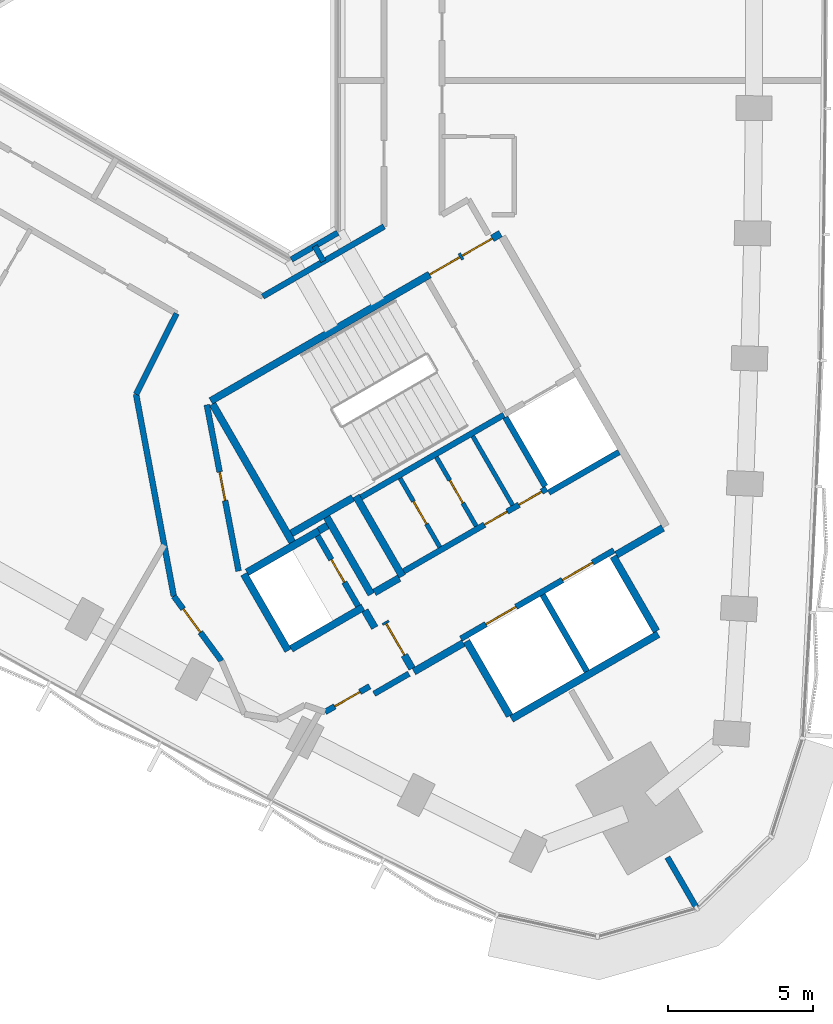
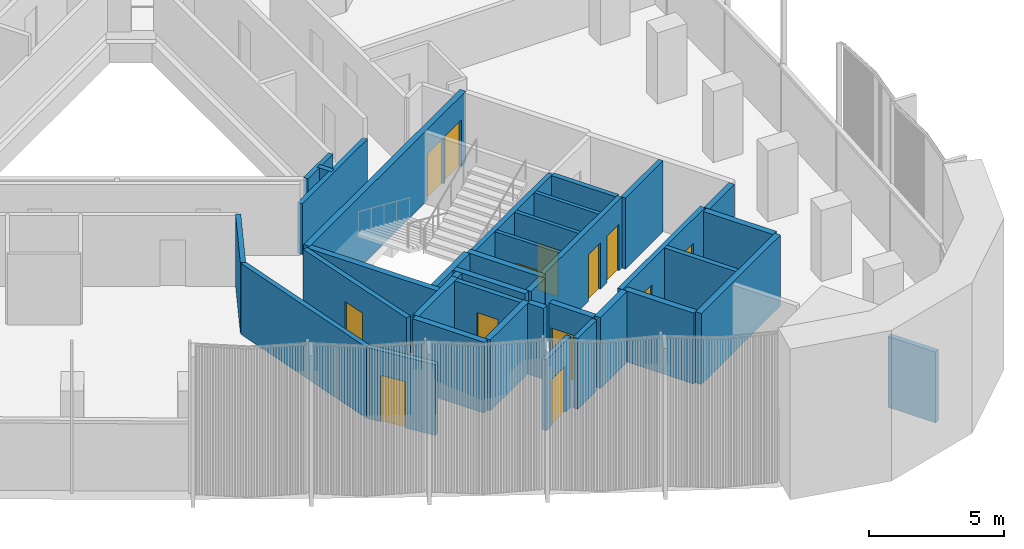
# One storey, part 8 of 14: 37 walls, 13 doors, 13 openings.
"""IFC4 building model written with IfcOpenShell, lengths in metres."""

from ifc_helpers import new_model, si_unit, direction, frame, frame_2d, origin, place, context, subcontext, project, spatial, rectangle, extrude, material, layer, layer_set, type_object, element, fill, save


model = new_model("IFC4")

# Units and contexts
model_context = context("Model", 3, precision=1e-05, world=origin(), true_north=direction((0.0, 1.0)))
body_context = subcontext(model_context, "Body", "Model", "MODEL_VIEW")
ifc_project = project(units=[si_unit("LENGTHUNIT", "METRE"), si_unit("AREAUNIT", "SQUARE_METRE"), si_unit("VOLUMEUNIT", "CUBIC_METRE"), si_unit("PLANEANGLEUNIT", "RADIAN"), si_unit("MASSUNIT", "GRAM", prefix="KILO")], contexts=[model_context])

# Site, building, storey
site_placement = place(None, origin())
site = spatial("IfcSite", under=ifc_project, at=site_placement, CompositionType="ELEMENT")
building_placement = place(site_placement, origin())
building = spatial("IfcBuilding", under=site, at=building_placement, Name="Tamra Quay Hotel Tower", CompositionType="ELEMENT")
storey_placement = place(building_placement, frame((0.0, 0.0, 150.39990234375)))
storey = spatial("IfcBuildingStorey", under=building, at=storey_placement, Name="L37", CompositionType="ELEMENT", Elevation=150.39990234375)

# Wall, openings, doors
ifc_material_1 = material(Name="Concrete M70", Category="concrete")
ifc_layer_1 = layer(ifc_material_1, 0.199951171875)
ifc_layer_set_1 = layer_set([ifc_layer_1], Name="Concrete M70 core wall 200")
wall_type_1 = type_object("IfcWallType", Name="Concrete M70 core wall 200", PredefinedType="SHEAR", material=ifc_layer_set_1)
wall_1_placement = place(storey_placement, frame((9.052490234375, -20.479736328125, 0.0), z_axis=(0.0, 0.0, 1.0), x_axis=(0.866030299012, 0.499991521122, 0.0)))
wall_1 = element("IfcWall", 1, at=wall_1_placement, inside=storey, type_object=wall_type_1, Name="CW2", PredefinedType="SHEAR", context=body_context, shape_type="SweptSolid", body=[
    extrude(rectangle(XDim=6.10009765625, YDim=0.199951171875, at=frame_2d((3.050048828125, 0.0))), origin(), (0.0, 0.0, 1.0), 3.2001953125),
])
opening_1_placement = place(wall_1_placement, frame((1.0, 0.0, 0.0)))
opening_1 = element("IfcOpeningElement", 2, at=opening_1_placement, cuts=wall_1, Name="Opening LD", PredefinedType="OPENING", context=body_context, shape_type="SweptSolid", body=[
    extrude(rectangle(XDim=1.199951171875, YDim=2.10009765625, at=frame_2d((0.60009765625, 1.050048828125))), frame((0.0, 0.10986328125, 0.0), z_axis=(0.0, -1.0, 0.0), x_axis=(1.0, 0.0, 0.0)), (0.0, 0.0, 1.0), 0.219970703125),
])
opening_2_placement = place(wall_1_placement, frame((4.05029296875, 0.0, 0.0)))
opening_2 = element("IfcOpeningElement", 3, at=opening_2_placement, cuts=wall_1, Name="Opening LD", PredefinedType="OPENING", context=body_context, shape_type="SweptSolid", body=[
    extrude(rectangle(XDim=1.199951171875, YDim=2.10009765625, at=frame_2d((0.60009765625, 1.050048828125))), frame((0.0, 0.10986328125, 0.0), z_axis=(0.0, -1.0, 0.0), x_axis=(1.0, 0.0, 0.0)), (0.0, 0.0, 1.0), 0.219970703125),
])
ifc_material_2 = material(Name="Landing door LD 1200 double door sliding")
door_type_1 = type_object("IfcDoorType", Name="Landing door LD 1200 double door sliding", OperationType="DOUBLE_DOOR_SLIDING", PredefinedType="DOOR", material=ifc_material_2)
door_1_placement = place(opening_1_placement, origin())
door_1 = element("IfcDoor", 4, at=door_1_placement, inside=storey, type_object=door_type_1, Name="LD", OperationType="DOUBLE_DOOR_SLIDING", OverallHeight=2.10009765625, OverallWidth=1.199951171875, PredefinedType="DOOR", context=body_context, shape_type="SweptSolid", body=[
    extrude(rectangle(XDim=1.199951171875, YDim=2.10009765625, at=frame_2d((0.60009765625, 1.050048828125))), frame((0.0, 0.02490234375, 0.0), z_axis=(0.0, -1.0, 0.0), x_axis=(1.0, 0.0, 0.0)), (0.0, 0.0, 1.0), 0.050048828125),
])
fill(opening_1, door_1)
door_2_placement = place(opening_2_placement, origin())
door_2 = element("IfcDoor", 5, at=door_2_placement, inside=storey, type_object=door_type_1, Name="LD", OperationType="DOUBLE_DOOR_SLIDING", OverallHeight=2.10009765625, OverallWidth=1.199951171875, PredefinedType="DOOR", context=body_context, shape_type="SweptSolid", body=[
    extrude(rectangle(XDim=1.199951171875, YDim=2.10009765625, at=frame_2d((0.60009765625, 1.050048828125))), frame((0.0, 0.02490234375, 0.0), z_axis=(0.0, -1.0, 0.0), x_axis=(1.0, 0.0, 0.0)), (0.0, 0.0, 1.0), 0.050048828125),
])
fill(opening_2, door_2)

# Wall
wall_2_placement = place(storey_placement, frame((10.537841796875, -12.751953125, 0.0), z_axis=(0.0, 0.0, 1.0), x_axis=(-0.866038630372, -0.499977090179, 0.0)))
element("IfcWall", 6, at=wall_2_placement, inside=storey, type_object=wall_type_1, Name="CW2", PredefinedType="SHEAR", context=body_context, shape_type="SweptSolid", body=[
    extrude(rectangle(XDim=5.698974609375, YDim=0.199951171875, at=frame_2d((2.849609375, 0.0))), origin(), (0.0, 0.0, 1.0), 3.2001953125),
])

# Wall, openings, doors
wall_3_placement = place(storey_placement, frame((7.0771484375, -18.156005859375, 0.0), z_axis=(0.0, 0.0, 1.0), x_axis=(0.866038630372, 0.499977090179, 0.0)))
wall_3 = element("IfcWall", 7, at=wall_3_placement, inside=storey, type_object=wall_type_1, Name="CW2", PredefinedType="SHEAR", context=body_context, shape_type="SweptSolid", body=[
    extrude(rectangle(XDim=5.698974609375, YDim=0.199951171875, at=frame_2d((2.849609375, 0.0))), origin(), (0.0, 0.0, 1.0), 3.2001953125),
])
opening_3_placement = place(wall_3_placement, frame((3.22412109375, 0.0, 0.0)))
opening_3 = element("IfcOpeningElement", 8, at=opening_3_placement, cuts=wall_3, Name="Opening D2", PredefinedType="OPENING", context=body_context, shape_type="SweptSolid", body=[
    extrude(rectangle(XDim=0.89990234375, YDim=2.10009765625, at=frame_2d((0.449951171875, 1.050048828125))), frame((0.0, 0.10986328125, 0.0), z_axis=(0.0, -1.0, 0.0), x_axis=(1.0, 0.0, 0.0)), (0.0, 0.0, 1.0), 0.219970703125),
])
opening_4_placement = place(wall_3_placement, frame((4.59912109375, 0.0, 0.0)))
opening_4 = element("IfcOpeningElement", 9, at=opening_4_placement, cuts=wall_3, Name="Opening D2", PredefinedType="OPENING", context=body_context, shape_type="SweptSolid", body=[
    extrude(rectangle(XDim=0.89990234375, YDim=2.10009765625, at=frame_2d((0.449951171875, 1.050048828125))), frame((0.0, 0.10986328125, 0.0), z_axis=(0.0, -1.0, 0.0), x_axis=(1.0, 0.0, 0.0)), (0.0, 0.0, 1.0), 0.219970703125),
])
ifc_material_3 = material(Name="Core door D2 900x2100 LH")
door_type_2 = type_object("IfcDoorType", Name="Core door D2 900x2100 LH", OperationType="NOTDEFINED", PredefinedType="DOOR", material=ifc_material_3)
door_3_placement = place(opening_3_placement, origin())
door_3 = element("IfcDoor", 10, at=door_3_placement, inside=storey, type_object=door_type_2, Name="D2", OperationType="SINGLE_SWING_LEFT", OverallHeight=2.10009765625, OverallWidth=0.89990234375, PredefinedType="DOOR", context=body_context, shape_type="SweptSolid", body=[
    extrude(rectangle(XDim=0.89990234375, YDim=2.10009765625, at=frame_2d((0.449951171875, 1.050048828125))), frame((0.0, 0.02490234375, 0.0), z_axis=(0.0, -1.0, 0.0), x_axis=(1.0, 0.0, 0.0)), (0.0, 0.0, 1.0), 0.050048828125),
])
fill(opening_3, door_3)
ifc_material_4 = material(Name="Core door D2 900x2100 RH")
door_type_3 = type_object("IfcDoorType", Name="Core door D2 900x2100 RH", OperationType="NOTDEFINED", PredefinedType="DOOR", material=ifc_material_4)
door_4_placement = place(opening_4_placement, origin())
door_4 = element("IfcDoor", 11, at=door_4_placement, inside=storey, type_object=door_type_3, Name="D2", OperationType="SINGLE_SWING_RIGHT", OverallHeight=2.10009765625, OverallWidth=0.89990234375, PredefinedType="DOOR", context=body_context, shape_type="SweptSolid", body=[
    extrude(rectangle(XDim=0.89990234375, YDim=2.10009765625, at=frame_2d((0.449951171875, 1.050048828125))), frame((0.0, 0.02490234375, 0.0), z_axis=(0.0, -1.0, 0.0), x_axis=(1.0, 0.0, 0.0)), (0.0, 0.0, 1.0), 0.050048828125),
])
fill(opening_4, door_4)

# Wall
wall_4_placement = place(storey_placement, frame((11.87451171875, -18.967041015625, 0.0), z_axis=(0.0, 0.0, 1.0), x_axis=(0.49998131003, -0.866036194175, 0.0)))
element("IfcWall", 12, at=wall_4_placement, inside=storey, type_object=wall_type_1, Name="CW2", PredefinedType="SHEAR", context=body_context, shape_type="SweptSolid", body=[
    extrude(rectangle(XDim=3.0478515625, YDim=0.199951171875, at=frame_2d((1.52392578125, 0.0))), origin(), (0.0, 0.0, 1.0), 3.2001953125),
])

# Wall, opening, door
wall_5_placement = place(storey_placement, frame((5.50341796875, -19.352294921875, 0.0), z_axis=(0.0, 0.0, 1.0), x_axis=(-0.499986818241, 0.866033014143, 0.0)))
wall_5 = element("IfcWall", 13, at=wall_5_placement, inside=storey, type_object=wall_type_1, Name="CW2", PredefinedType="SHEAR", context=body_context, shape_type="SweptSolid", body=[
    extrude(rectangle(XDim=2.7978515625, YDim=0.199951171875, at=frame_2d((1.39892578125, 0.0))), origin(), (0.0, 0.0, 1.0), 3.2001953125),
])
opening_5_placement = place(wall_5_placement, frame((0.948974609375, 0.0, 0.0)))
opening_5 = element("IfcOpeningElement", 14, at=opening_5_placement, cuts=wall_5, Name="Opening D1", PredefinedType="OPENING", context=body_context, shape_type="SweptSolid", body=[
    extrude(rectangle(XDim=0.89990234375, YDim=2.10009765625, at=frame_2d((0.449951171875, 1.050048828125))), frame((0.0, 0.10986328125, 0.0), z_axis=(0.0, -1.0, 0.0), x_axis=(1.0, 0.0, 0.0)), (0.0, 0.0, 1.0), 0.219970703125),
])
ifc_material_5 = material(Name="Core door D1 900x2100 LH")
door_type_4 = type_object("IfcDoorType", Name="Core door D1 900x2100 LH", OperationType="NOTDEFINED", PredefinedType="DOOR", material=ifc_material_5)
door_5_placement = place(opening_5_placement, origin())
door_5 = element("IfcDoor", 15, at=door_5_placement, inside=storey, type_object=door_type_4, Name="D1", OperationType="SINGLE_SWING_LEFT", OverallHeight=2.10009765625, OverallWidth=0.89990234375, PredefinedType="DOOR", context=body_context, shape_type="SweptSolid", body=[
    extrude(rectangle(XDim=0.89990234375, YDim=2.10009765625, at=frame_2d((0.449951171875, 1.050048828125))), frame((0.0, 0.02490234375, 0.0), z_axis=(0.0, -1.0, 0.0), x_axis=(1.0, 0.0, 0.0)), (0.0, 0.0, 1.0), 0.050048828125),
])
fill(opening_5, door_5)

# Walls
wall_6_placement = place(storey_placement, frame((11.962646484375, -15.219970703125, 0.0), z_axis=(0.0, 0.0, 1.0), x_axis=(-0.500034990121, 0.866005201286, 0.0)))
element("IfcWall", 16, at=wall_6_placement, inside=storey, type_object=wall_type_1, Name="CW2", PredefinedType="SHEAR", context=body_context, shape_type="SweptSolid", body=[
    extrude(rectangle(XDim=2.749755859375, YDim=0.199951171875, at=frame_2d((1.375, 0.0))), origin(), (0.0, 0.0, 1.0), 3.2001953125),
])
wall_7_placement = place(storey_placement, frame((14.51171875, -14.037109375, 0.0), z_axis=(0.0, 0.0, 1.0), x_axis=(-0.866044696403, -0.499966582715, 0.0)))
element("IfcWall", 17, at=wall_7_placement, inside=storey, type_object=wall_type_1, Name="CW2", PredefinedType="SHEAR", context=body_context, shape_type="SweptSolid", body=[
    extrude(rectangle(XDim=2.799072265625, YDim=0.199951171875, at=frame_2d((1.3994140625, 0.0))), origin(), (0.0, 0.0, 1.0), 3.2001953125),
])

# Wall, openings, doors
ifc_layer_2 = layer(ifc_material_1, 0.25)
ifc_layer_set_2 = layer_set([ifc_layer_2], Name="Concrete M70 core wall 250")
wall_type_2 = type_object("IfcWallType", Name="Concrete M70 core wall 250", PredefinedType="SHEAR", material=ifc_layer_set_2)
wall_8_placement = place(storey_placement, frame((0.417236328125, -12.27294921875, 0.0), z_axis=(0.0, 0.0, 1.0), x_axis=(0.866021906294, 0.500006057782, 0.0)))
wall_8 = element("IfcWall", 18, at=wall_8_placement, inside=storey, type_object=wall_type_2, Name="CW1", PredefinedType="SHEAR", context=body_context, shape_type="SweptSolid", body=[
    extrude(rectangle(XDim=11.550048828125, YDim=0.25, at=frame_2d((5.77490234375, 0.0))), origin(), (0.0, 0.0, 1.0), 3.2001953125),
])
opening_6_placement = place(wall_8_placement, frame((10.024658203125, 0.0, 0.0)))
opening_6 = element("IfcOpeningElement", 19, at=opening_6_placement, cuts=wall_8, Name="Opening FD1", PredefinedType="OPENING", context=body_context, shape_type="SweptSolid", body=[
    extrude(rectangle(XDim=1.199951171875, YDim=2.10009765625, at=frame_2d((0.60009765625, 1.050048828125))), frame((0.0, 0.135009765625, 0.0), z_axis=(0.0, -1.0, 0.0), x_axis=(1.0, 0.0, 0.0)), (0.0, 0.0, 1.0), 0.27001953125),
])
opening_7_placement = place(wall_8_placement, frame((8.724609375, 0.0, 0.0)))
opening_7 = element("IfcOpeningElement", 20, at=opening_7_placement, cuts=wall_8, Name="Opening FD1", PredefinedType="OPENING", context=body_context, shape_type="SweptSolid", body=[
    extrude(rectangle(XDim=1.199951171875, YDim=2.10009765625, at=frame_2d((0.60009765625, 1.050048828125))), frame((0.0, 0.135009765625, 0.0), z_axis=(0.0, -1.0, 0.0), x_axis=(1.0, 0.0, 0.0)), (0.0, 0.0, 1.0), 0.27001953125),
])
ifc_material_6 = material(Name="Core door FD1 1200x2100 LH")
door_type_5 = type_object("IfcDoorType", Name="Core door FD1 1200x2100 LH", OperationType="NOTDEFINED", PredefinedType="DOOR", material=ifc_material_6)
door_6_placement = place(opening_6_placement, origin())
door_6 = element("IfcDoor", 21, at=door_6_placement, inside=storey, type_object=door_type_5, Name="FD1", OperationType="SINGLE_SWING_LEFT", OverallHeight=2.10009765625, OverallWidth=1.199951171875, PredefinedType="DOOR", context=body_context, shape_type="SweptSolid", body=[
    extrude(rectangle(XDim=1.199951171875, YDim=2.10009765625, at=frame_2d((0.60009765625, 1.050048828125))), frame((0.0, 0.02490234375, 0.0), z_axis=(0.0, -1.0, 0.0), x_axis=(1.0, 0.0, 0.0)), (0.0, 0.0, 1.0), 0.050048828125),
])
fill(opening_6, door_6)
ifc_material_7 = material(Name="Core door FD1 1200x2100 RH")
door_type_6 = type_object("IfcDoorType", Name="Core door FD1 1200x2100 RH", OperationType="NOTDEFINED", PredefinedType="DOOR", material=ifc_material_7)
door_7_placement = place(opening_7_placement, origin())
door_7 = element("IfcDoor", 22, at=door_7_placement, inside=storey, type_object=door_type_6, Name="FD1", OperationType="SINGLE_SWING_RIGHT", OverallHeight=2.10009765625, OverallWidth=1.199951171875, PredefinedType="DOOR", context=body_context, shape_type="SweptSolid", body=[
    extrude(rectangle(XDim=1.199951171875, YDim=2.10009765625, at=frame_2d((0.60009765625, 1.050048828125))), frame((0.0, 0.02490234375, 0.0), z_axis=(0.0, -1.0, 0.0), x_axis=(1.0, 0.0, 0.0)), (0.0, 0.0, 1.0), 0.050048828125),
])
fill(opening_7, door_7)

# Walls
wall_9_placement = place(storey_placement, frame((15.86474609375, -20.328369140625, 0.0), z_axis=(0.0, 0.0, 1.0), x_axis=(-0.86602852612, -0.499994591916, 0.0)))
element("IfcWall", 23, at=wall_9_placement, inside=storey, type_object=wall_type_2, Name="CW1", PredefinedType="SHEAR", context=body_context, shape_type="SweptSolid", body=[
    extrude(rectangle(XDim=5.85009765625, YDim=0.25, at=frame_2d((2.925048828125, 0.0))), origin(), (0.0, 0.0, 1.0), 3.2001953125),
])
wall_10_placement = place(storey_placement, frame((3.23486328125, -17.15283203125, 0.0), z_axis=(0.0, 0.0, 1.0), x_axis=(-0.500008851346, 0.866020293397, 0.0)))
element("IfcWall", 24, at=wall_10_placement, inside=storey, type_object=wall_type_2, Name="CW1", PredefinedType="SHEAR", context=body_context, shape_type="SweptSolid", body=[
    extrude(rectangle(XDim=5.509765625, YDim=0.25, at=frame_2d((2.7548828125, 0.0))), origin(), (0.0, 0.0, 1.0), 3.2001953125),
])
wall_11_placement = place(storey_placement, frame((7.030517578125, -18.327392578125, 0.0), z_axis=(0.0, 0.0, 1.0), x_axis=(-0.499971222258, 0.866042017984, 0.0)))
element("IfcWall", 25, at=wall_11_placement, inside=storey, type_object=wall_type_2, Name="CW1", PredefinedType="SHEAR", context=body_context, shape_type="SweptSolid", body=[
    extrude(rectangle(XDim=3.199951171875, YDim=0.25, at=frame_2d((1.60009765625, 0.0))), origin(), (0.0, 0.0, 1.0), 3.2001953125),
])
for number, where, z_axis, x_axis, name in (
    (26, (14.314697265625, -17.643798828125, 0.0), (0.0, 0.0, 1.0), (0.500023226632, -0.866011993467, 0.0), "CW1"),
    (27, (10.73583984375, -23.144775390625, 0.0), (0.0, 0.0, 1.0), (-0.500023226632, 0.866011993467, 0.0), "CW1"),
):
    element("IfcWall", number, at=place(storey_placement, frame(where, z_axis=z_axis, x_axis=x_axis)), inside=storey, type_object=wall_type_2, Name=name, PredefinedType="SHEAR", context=body_context, shape_type="SweptSolid", body=[
        extrude(rectangle(XDim=2.974365234375, YDim=0.25, at=frame_2d((1.4873046875, 0.0))), origin(), (0.0, 0.0, 1.0), 3.2001953125),
    ])
wall_12_placement = place(storey_placement, frame((3.085205078125, -20.893798828125, 0.0), z_axis=(0.0, 0.0, 1.0), x_axis=(-0.499978833458, 0.866037623948, 0.0)))
element("IfcWall", 28, at=wall_12_placement, inside=storey, type_object=wall_type_2, Name="CW1", PredefinedType="SHEAR", context=body_context, shape_type="SweptSolid", body=[
    extrude(rectangle(XDim=3.050048828125, YDim=0.25, at=frame_2d((1.52490234375, 0.0))), origin(), (0.0, 0.0, 1.0), 3.2001953125),
])
wall_13_placement = place(storey_placement, frame((1.6689453125, -18.189697265625, 0.0), z_axis=(0.0, 0.0, 1.0), x_axis=(0.866042235819, 0.499970844928, 0.0)))
element("IfcWall", 29, at=wall_13_placement, inside=storey, type_object=wall_type_2, Name="CW1", PredefinedType="SHEAR", context=body_context, shape_type="SweptSolid", body=[
    extrude(rectangle(XDim=2.864501953125, YDim=0.25, at=frame_2d((1.43212890625, 0.0))), origin(), (0.0, 0.0, 1.0), 3.2001953125),
])
wall_14_placement = place(storey_placement, frame((5.6748046875, -19.39892578125, 0.0), z_axis=(0.0, 0.0, 1.0), x_axis=(-0.866026637627, -0.499997862916, 0.0)))
element("IfcWall", 30, at=wall_14_placement, inside=storey, type_object=wall_type_2, Name="CW1", PredefinedType="SHEAR", context=body_context, shape_type="SweptSolid", body=[
    extrude(rectangle(XDim=2.86474609375, YDim=0.25, at=frame_2d((1.432373046875, 0.0))), origin(), (0.0, 0.0, 1.0), 3.2001953125),
])
wall_15_placement = place(storey_placement, frame((4.414306640625, -16.275634765625, 0.0), z_axis=(0.0, 0.0, 1.0), x_axis=(0.500003324108, -0.866023484601, 0.0)))
element("IfcWall", 31, at=wall_15_placement, inside=storey, type_object=wall_type_2, Name="CW1", PredefinedType="SHEAR", context=body_context, shape_type="SweptSolid", body=[
    extrude(rectangle(XDim=3.0849609375, YDim=0.25, at=frame_2d((1.54248046875, 0.0))), origin(), (0.0, 0.0, 1.0), 3.2001953125),
])
wall_16_placement = place(storey_placement, frame((5.322021484375, -15.618896484375, 0.0), z_axis=(0.0, 0.0, 1.0), x_axis=(-0.866026229868, -0.499998569178, 0.0)))
element("IfcWall", 32, at=wall_16_placement, inside=storey, type_object=wall_type_2, Name="CW1", PredefinedType="SHEAR", context=body_context, shape_type="SweptSolid", body=[
    extrude(rectangle(XDim=2.44921875, YDim=0.25, at=frame_2d((1.224609375, 0.0))), origin(), (0.0, 0.0, 1.0), 3.2001953125),
])
wall_17_placement = place(storey_placement, frame((9.139892578125, -20.63134765625, 0.0), z_axis=(0.0, 0.0, 1.0), x_axis=(-0.866043531843, -0.499968599967, 0.0)))
element("IfcWall", 33, at=wall_17_placement, inside=storey, type_object=wall_type_2, Name="CW1", PredefinedType="SHEAR", context=body_context, shape_type="SweptSolid", body=[
    extrude(rectangle(XDim=1.974853515625, YDim=0.25, at=frame_2d((0.9873046875, 0.0))), origin(), (0.0, 0.0, 1.0), 3.2001953125),
])
wall_18_placement = place(storey_placement, frame((16.024658203125, -16.656494140625, 0.0), z_axis=(0.0, 0.0, 1.0), x_axis=(-0.866016279763, -0.500015802937, 0.0)))
element("IfcWall", 34, at=wall_18_placement, inside=storey, type_object=wall_type_2, Name="CW1", PredefinedType="SHEAR", context=body_context, shape_type="SweptSolid", body=[
    extrude(rectangle(XDim=1.84912109375, YDim=0.25, at=frame_2d((0.924560546875, 0.0))), origin(), (0.0, 0.0, 1.0), 3.2001953125),
])

# Wall, opening, door
wall_19_placement = place(storey_placement, frame((7.3671875, -21.51025390625, 0.0), z_axis=(0.0, 0.0, 1.0), x_axis=(-0.499983108224, 0.866035156036, 0.0)))
wall_19 = element("IfcWall", 35, at=wall_19_placement, inside=storey, type_object=wall_type_2, Name="CW1", PredefinedType="SHEAR", context=body_context, shape_type="SweptSolid", body=[
    extrude(rectangle(XDim=1.86474609375, YDim=0.25, at=frame_2d((0.932373046875, 0.0))), origin(), (0.0, 0.0, 1.0), 3.2001953125),
])
opening_8_placement = place(wall_19_placement, frame((0.53466796875, 0.0, 0.0)))
opening_8 = element("IfcOpeningElement", 36, at=opening_8_placement, cuts=wall_19, Name="Opening FD3", PredefinedType="OPENING", context=body_context, shape_type="SweptSolid", body=[
    extrude(rectangle(XDim=1.25, YDim=2.10009765625, at=frame_2d((0.625, 1.050048828125))), frame((0.0, 0.135009765625, 0.0), z_axis=(0.0, -1.0, 0.0), x_axis=(1.0, 0.0, 0.0)), (0.0, 0.0, 1.0), 0.27001953125),
])
ifc_material_8 = material(Name="Core door FD3 1250x2100 LH")
door_type_7 = type_object("IfcDoorType", Name="Core door FD3 1250x2100 LH", OperationType="NOTDEFINED", PredefinedType="DOOR", material=ifc_material_8)
door_8_placement = place(opening_8_placement, origin())
door_8 = element("IfcDoor", 37, at=door_8_placement, inside=storey, type_object=door_type_7, Name="FD3", OperationType="SINGLE_SWING_LEFT", OverallHeight=2.10009765625, OverallWidth=1.25, PredefinedType="DOOR", context=body_context, shape_type="SweptSolid", body=[
    extrude(rectangle(XDim=1.25, YDim=2.10009765625, at=frame_2d((0.625, 1.050048828125))), frame((0.0, 0.02490234375, 0.0), z_axis=(0.0, -1.0, 0.0), x_axis=(1.0, 0.0, 0.0)), (0.0, 0.0, 1.0), 0.050048828125),
])
fill(opening_8, door_8)

# Walls
wall_20_placement = place(storey_placement, frame((6.0654296875, -18.884765625, 0.0), z_axis=(0.0, 0.0, 1.0), x_axis=(0.866017078145, 0.500014420154, 0.0)))
element("IfcWall", 38, at=wall_20_placement, inside=storey, type_object=wall_type_2, Name="CW1", PredefinedType="SHEAR", context=body_context, shape_type="SweptSolid", body=[
    extrude(rectangle(XDim=0.9892578125, YDim=0.25, at=frame_2d((0.49462890625, 0.0))), origin(), (0.0, 0.0, 1.0), 3.2001953125),
])
wall_21_placement = place(storey_placement, frame((6.07958984375, -20.100341796875, 0.0), z_axis=(0.0, 0.0, 1.0), x_axis=(-0.500051773299, 0.865995510393, 0.0)))
element("IfcWall", 39, at=wall_21_placement, inside=storey, type_object=wall_type_2, Name="CW1", PredefinedType="SHEAR", context=body_context, shape_type="SweptSolid", body=[
    extrude(rectangle(XDim=0.6845703125, YDim=0.25, at=frame_2d((0.34228515625, 0.0))), origin(), (0.0, 0.0, 1.0), 3.2001953125),
])
wall_22_placement = place(storey_placement, frame((4.144775390625, -16.748779296875, 0.0), z_axis=(0.0, 0.0, 1.0), x_axis=(0.866185586049, 0.49972245349, 0.0)))
element("IfcWall", 40, at=wall_22_placement, inside=storey, type_object=wall_type_2, Name="CW1", PredefinedType="SHEAR", context=body_context, shape_type="SweptSolid", body=[
    extrude(rectangle(XDim=0.344482421875, YDim=0.25, at=frame_2d((0.17236328125, 0.0))), origin(), (0.0, 0.0, 1.0), 3.2001953125),
])

# Wall, opening, door
ifc_material_9 = material(Name="Blockwork", Category="masonry")
ifc_layer_3 = layer(ifc_material_9, 0.14990234375)
ifc_layer_set_3 = layer_set([ifc_layer_3], Name="Core partition block 150")
wall_type_3 = type_object("IfcWallType", Name="Core partition block 150", PredefinedType="PARTITIONING", material=ifc_layer_set_3)
wall_23_placement = place(storey_placement, frame((8.20654296875, -14.214111328125, 0.0), z_axis=(0.0, 0.0, 1.0), x_axis=(0.50002746344, -0.86600954718, 0.0)))
wall_23 = element("IfcWall", 41, at=wall_23_placement, inside=storey, type_object=wall_type_3, Name="CP1", PredefinedType="PARTITIONING", context=body_context, shape_type="SweptSolid", body=[
    extrude(rectangle(XDim=2.748291015625, YDim=0.14990234375, at=frame_2d((1.3740234375, 0.0))), origin(), (0.0, 0.0, 1.0), 3.2001953125),
])
opening_9_placement = place(wall_23_placement, frame((0.92431640625, 0.0, 0.0)))
opening_9 = element("IfcOpeningElement", 42, at=opening_9_placement, cuts=wall_23, Name="Opening D2", PredefinedType="OPENING", context=body_context, shape_type="SweptSolid", body=[
    extrude(rectangle(XDim=0.89990234375, YDim=2.10009765625, at=frame_2d((0.449951171875, 1.050048828125))), frame((0.0, 0.0849609375, 0.0), z_axis=(0.0, -1.0, 0.0), x_axis=(1.0, 0.0, 0.0)), (0.0, 0.0, 1.0), 0.169921875),
])
door_9_placement = place(opening_9_placement, origin())
door_9 = element("IfcDoor", 43, at=door_9_placement, inside=storey, type_object=door_type_3, Name="D2", OperationType="SINGLE_SWING_RIGHT", OverallHeight=2.10009765625, OverallWidth=0.89990234375, PredefinedType="DOOR", context=body_context, shape_type="SweptSolid", body=[
    extrude(rectangle(XDim=0.89990234375, YDim=2.10009765625, at=frame_2d((0.449951171875, 1.050048828125))), frame((0.0, 0.02490234375, 0.0), z_axis=(0.0, -1.0, 0.0), x_axis=(1.0, 0.0, 0.0)), (0.0, 0.0, 1.0), 0.050048828125),
])
fill(opening_9, door_9)

# Wall
wall_24_placement = place(storey_placement, frame((9.46240234375, -13.489013671875, 0.0), z_axis=(0.0, 0.0, 1.0), x_axis=(0.499988999718, -0.866031754707, 0.0)))
element("IfcWall", 44, at=wall_24_placement, inside=storey, type_object=wall_type_3, Name="CP1", PredefinedType="PARTITIONING", context=body_context, shape_type="SweptSolid", body=[
    extrude(rectangle(XDim=2.74853515625, YDim=0.14990234375, at=frame_2d((1.374267578125, 0.0))), origin(), (0.0, 0.0, 1.0), 3.2001953125),
])

# Wall, opening, door
wall_25_placement = place(storey_placement, frame((6.950927734375, -14.93896484375, 0.0), z_axis=(0.0, 0.0, 1.0), x_axis=(0.499988999718, -0.866031754707, 0.0)))
wall_25 = element("IfcWall", 45, at=wall_25_placement, inside=storey, type_object=wall_type_3, Name="CP1", PredefinedType="PARTITIONING", context=body_context, shape_type="SweptSolid", body=[
    extrude(rectangle(XDim=2.74853515625, YDim=0.14990234375, at=frame_2d((1.374267578125, 0.0))), origin(), (0.0, 0.0, 1.0), 3.2001953125),
])
opening_10_placement = place(wall_25_placement, frame((0.92431640625, 0.0, 0.0)))
opening_10 = element("IfcOpeningElement", 46, at=opening_10_placement, cuts=wall_25, Name="Opening D2", PredefinedType="OPENING", context=body_context, shape_type="SweptSolid", body=[
    extrude(rectangle(XDim=0.89990234375, YDim=2.10009765625, at=frame_2d((0.449951171875, 1.050048828125))), frame((0.0, 0.0849609375, 0.0), z_axis=(0.0, -1.0, 0.0), x_axis=(1.0, 0.0, 0.0)), (0.0, 0.0, 1.0), 0.169921875),
])
door_10_placement = place(opening_10_placement, origin())
door_10 = element("IfcDoor", 47, at=door_10_placement, inside=storey, type_object=door_type_2, Name="D2", OperationType="SINGLE_SWING_LEFT", OverallHeight=2.10009765625, OverallWidth=0.89990234375, PredefinedType="DOOR", context=body_context, shape_type="SweptSolid", body=[
    extrude(rectangle(XDim=0.89990234375, YDim=2.10009765625, at=frame_2d((0.449951171875, 1.050048828125))), frame((0.0, 0.02490234375, 0.0), z_axis=(0.0, -1.0, 0.0), x_axis=(1.0, 0.0, 0.0)), (0.0, 0.0, 1.0), 0.050048828125),
])
fill(opening_10, door_10)

# Walls
ifc_material_10 = material(Name="Partition corridor wall")
ifc_layer_4 = layer(ifc_material_10, 0.199951171875)
ifc_layer_set_4 = layer_set([ifc_layer_4], Name="Partition corridor wall")
wall_type_4 = type_object("IfcWallType", Name="Partition corridor wall", PredefinedType="PARTITIONING", material=ifc_layer_set_4)
wall_26_placement = place(storey_placement, frame((-2.162109375, -12.0419921875, 0.0), z_axis=(0.0, 0.0, 1.0), x_axis=(0.18377734651, -0.982967897192, 0.0)))
element("IfcWall", 48, at=wall_26_placement, inside=storey, type_object=wall_type_4, Name="W-C", PredefinedType="PARTITIONING", context=body_context, shape_type="SweptSolid", body=[
    extrude(rectangle(XDim=7.093994140625, YDim=0.199951171875, at=frame_2d((3.546875, 0.0))), origin(), (0.0, 0.0, 1.0), 3.2001953125),
])
wall_27_placement = place(storey_placement, frame((-2.162109375, -12.041015625, 0.0), z_axis=(0.0, 0.0, 1.0), x_axis=(0.448937335771, 0.893563242614, 0.0)))
element("IfcWall", 49, at=wall_27_placement, inside=storey, type_object=wall_type_4, Name="W-C", PredefinedType="PARTITIONING", context=body_context, shape_type="SweptSolid", body=[
    extrude(rectangle(XDim=3.114501953125, YDim=0.199951171875, at=frame_2d((1.55712890625, 0.0))), origin(), (0.0, 0.0, 1.0), 3.2001953125),
])

# Wall, opening, door
wall_28_placement = place(storey_placement, frame((-0.85791015625, -19.01611328125, 0.0), z_axis=(0.0, 0.0, 1.0), x_axis=(0.593123867414, -0.805111220829, 0.0)))
wall_28 = element("IfcWall", 50, at=wall_28_placement, inside=storey, type_object=wall_type_4, Name="W-C", PredefinedType="PARTITIONING", context=body_context, shape_type="SweptSolid", body=[
    extrude(rectangle(XDim=2.769775390625, YDim=0.199951171875, at=frame_2d((1.384765625, 0.0))), origin(), (0.0, 0.0, 1.0), 3.2001953125),
])
opening_11_placement = place(wall_28_placement, frame((0.54248046875, 0.0, 0.0)))
opening_11 = element("IfcOpeningElement", 51, at=opening_11_placement, cuts=wall_28, Name="Opening L37-D016", PredefinedType="OPENING", context=body_context, shape_type="SweptSolid", body=[
    extrude(rectangle(XDim=1.0, YDim=2.10009765625, at=frame_2d((0.5, 1.050048828125))), frame((0.0, 0.10986328125, 0.0), z_axis=(0.0, -1.0, 0.0), x_axis=(1.0, 0.0, 0.0)), (0.0, 0.0, 1.0), 0.219970703125),
])
ifc_material_11 = material(Name="Door guest room 1000x2100")
door_type_8 = type_object("IfcDoorType", Name="Door guest room 1000x2100", OperationType="NOTDEFINED", PredefinedType="DOOR", material=ifc_material_11)
door_11_placement = place(opening_11_placement, frame((1.0, 0.0, 0.0), z_axis=(0.0, 0.0, 1.0), x_axis=(-1.0, 0.0, 0.0)))
door_11 = element("IfcDoor", 52, at=door_11_placement, inside=storey, type_object=door_type_8, Name="L37-D016", OperationType="SINGLE_SWING_LEFT", OverallHeight=2.10009765625, OverallWidth=1.0, PredefinedType="DOOR", context=body_context, shape_type="SweptSolid", body=[
    extrude(rectangle(XDim=1.0, YDim=2.10009765625, at=frame_2d((0.5, 1.050048828125))), frame((0.0, 0.02490234375, 0.0), z_axis=(0.0, -1.0, 0.0), x_axis=(1.0, 0.0, 0.0)), (0.0, 0.0, 1.0), 0.050048828125),
])
fill(opening_11, door_11)

wall_29_placement = place(storey_placement, frame((0.28076171875, -12.40625, 0.0), z_axis=(0.0, 0.0, 1.0), x_axis=(0.187814940093, -0.982204433037, 0.0)))
wall_29 = element("IfcWall", 53, at=wall_29_placement, inside=storey, type_object=wall_type_4, Name="W-C", PredefinedType="PARTITIONING", context=body_context, shape_type="SweptSolid", body=[
    extrude(rectangle(XDim=5.841796875, YDim=0.199951171875, at=frame_2d((2.9208984375, 0.0))), origin(), (0.0, 0.0, 1.0), 3.2001953125),
])
opening_12_placement = place(wall_29_placement, frame((2.36328125, 0.0, 0.0)))
opening_12 = element("IfcOpeningElement", 54, at=opening_12_placement, cuts=wall_29, Name="Opening L37-D015", PredefinedType="OPENING", context=body_context, shape_type="SweptSolid", body=[
    extrude(rectangle(XDim=1.0, YDim=2.10009765625, at=frame_2d((0.5, 1.050048828125))), frame((0.0, 0.10986328125, 0.0), z_axis=(0.0, -1.0, 0.0), x_axis=(1.0, 0.0, 0.0)), (0.0, 0.0, 1.0), 0.219970703125),
])
door_12_placement = place(opening_12_placement, origin())
door_12 = element("IfcDoor", 55, at=door_12_placement, inside=storey, type_object=door_type_8, Name="L37-D015", OperationType="SINGLE_SWING_LEFT", OverallHeight=2.10009765625, OverallWidth=1.0, PredefinedType="DOOR", context=body_context, shape_type="SweptSolid", body=[
    extrude(rectangle(XDim=1.0, YDim=2.10009765625, at=frame_2d((0.5, 1.050048828125))), frame((0.0, 0.02490234375, 0.0), z_axis=(0.0, -1.0, 0.0), x_axis=(1.0, 0.0, 0.0)), (0.0, 0.0, 1.0), 0.050048828125),
])
fill(opening_12, door_12)

# Wall
wall_30_placement = place(storey_placement, frame((2.212158203125, -8.66748046875, 0.0), z_axis=(0.0, 0.0, 1.0), x_axis=(0.866053587187, 0.499951181737, 0.0)))
element("IfcWall", 56, at=wall_30_placement, inside=storey, type_object=wall_type_4, Name="W-C", PredefinedType="PARTITIONING", context=body_context, shape_type="SweptSolid", body=[
    extrude(rectangle(XDim=4.83544921875, YDim=0.199951171875, at=frame_2d((2.417724609375, 0.0))), origin(), (0.0, 0.0, 1.0), 2.300048828125),
])

# Wall, opening, door
wall_31_placement = place(storey_placement, frame((4.362060546875, -23.011962890625, 0.0), z_axis=(0.0, 0.0, 1.0), x_axis=(0.866692617793, 0.49884256661, 0.0)))
wall_31 = element("IfcWall", 57, at=wall_31_placement, inside=storey, type_object=wall_type_4, Name="W-C", PredefinedType="PARTITIONING", context=body_context, shape_type="SweptSolid", body=[
    extrude(rectangle(XDim=1.778076171875, YDim=0.199951171875, at=frame_2d((0.88916015625, 0.0))), origin(), (0.0, 0.0, 1.0), 3.2001953125),
])
opening_13_placement = place(wall_31_placement, frame((0.388916015625, 0.0, 0.0)))
opening_13 = element("IfcOpeningElement", 58, at=opening_13_placement, cuts=wall_31, Name="Opening L37-D017", PredefinedType="OPENING", context=body_context, shape_type="SweptSolid", body=[
    extrude(rectangle(XDim=1.0, YDim=2.10009765625, at=frame_2d((0.5, 1.050048828125))), frame((0.0, 0.10986328125, 0.0), z_axis=(0.0, -1.0, 0.0), x_axis=(1.0, 0.0, 0.0)), (0.0, 0.0, 1.0), 0.219970703125),
])
door_13_placement = place(opening_13_placement, frame((1.0, 0.0, 0.0), z_axis=(0.0, 0.0, 1.0), x_axis=(-1.0, 0.0, 0.0)))
door_13 = element("IfcDoor", 59, at=door_13_placement, inside=storey, type_object=door_type_8, Name="L37-D017", OperationType="SINGLE_SWING_LEFT", OverallHeight=2.10009765625, OverallWidth=1.0, PredefinedType="DOOR", context=body_context, shape_type="SweptSolid", body=[
    extrude(rectangle(XDim=1.0, YDim=2.10009765625, at=frame_2d((0.5, 1.050048828125))), frame((0.0, 0.02490234375, 0.0), z_axis=(0.0, -1.0, 0.0), x_axis=(1.0, 0.0, 0.0)), (0.0, 0.0, 1.0), 0.050048828125),
])
fill(opening_13, door_13)

# Walls
wall_32_placement = place(storey_placement, frame((6.053955078125, -22.385009765625, 0.0), z_axis=(0.0, 0.0, 1.0), x_axis=(0.86593101922, 0.500163443238, 0.0)))
element("IfcWall", 60, at=wall_32_placement, inside=storey, type_object=wall_type_4, Name="W-C", PredefinedType="PARTITIONING", context=body_context, shape_type="SweptSolid", body=[
    extrude(rectangle(XDim=1.3896484375, YDim=0.199951171875, at=frame_2d((0.69482421875, 0.0))), origin(), (0.0, 0.0, 1.0), 3.2001953125),
])
ifc_material_12 = material(Name="Partition party wall")
ifc_layer_5 = layer(ifc_material_12, 0.199951171875)
ifc_layer_set_5 = layer_set([ifc_layer_5], Name="Partition party wall")
wall_type_5 = type_object("IfcWallType", Name="Partition party wall", PredefinedType="PARTITIONING", material=ifc_layer_set_5)
wall_33_placement = place(storey_placement, frame((3.2001953125, -7.390380859375, 0.0), z_axis=(0.0, 0.0, 1.0), x_axis=(0.865875248522, 0.500259986404, 0.0)))
element("IfcWall", 61, at=wall_33_placement, inside=storey, type_object=wall_type_5, Name="W-P", PredefinedType="PARTITIONING", context=body_context, shape_type="SweptSolid", body=[
    extrude(rectangle(XDim=1.84765625, YDim=0.199951171875, at=frame_2d((0.923828125, 0.0))), origin(), (0.0, 0.0, 1.0), 2.300048828125),
])
wall_34_placement = place(storey_placement, frame((4.005126953125, -6.925048828125, 0.0), z_axis=(0.0, 0.0, 1.0), x_axis=(0.499942781752, -0.866058436235, 0.0)))
element("IfcWall", 62, at=wall_34_placement, inside=storey, type_object=wall_type_5, Name="W-P", PredefinedType="PARTITIONING", context=body_context, shape_type="SweptSolid", body=[
    extrude(rectangle(XDim=0.607421875, YDim=0.199951171875, at=frame_2d((0.3037109375, 0.0))), origin(), (0.0, 0.0, 1.0), 2.300048828125),
])
wall_35_placement = place(storey_placement, frame((16.181884765625, -28.028076171875, 0.0), z_axis=(0.0, 0.0, 1.0), x_axis=(0.499836922991, -0.86611953587, 0.0)))
element("IfcWall", 63, at=wall_35_placement, inside=storey, type_object=wall_type_5, Name="W-P", PredefinedType="PARTITIONING", context=body_context, shape_type="SweptSolid", body=[
    extrude(rectangle(XDim=2.031005859375, YDim=0.199951171875, at=frame_2d((1.015625, 0.0))), origin(), (0.0, 0.0, 1.0), 3.2001953125),
])

save(model, "model.ifc")
